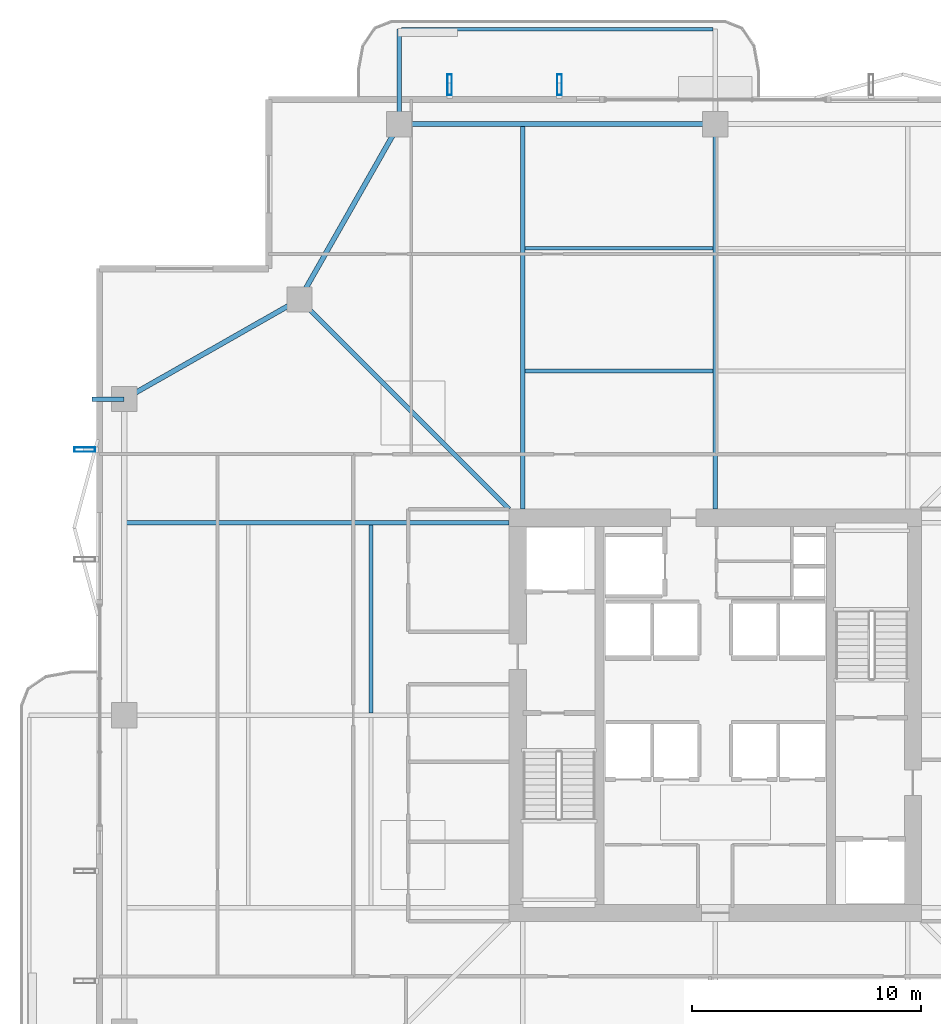
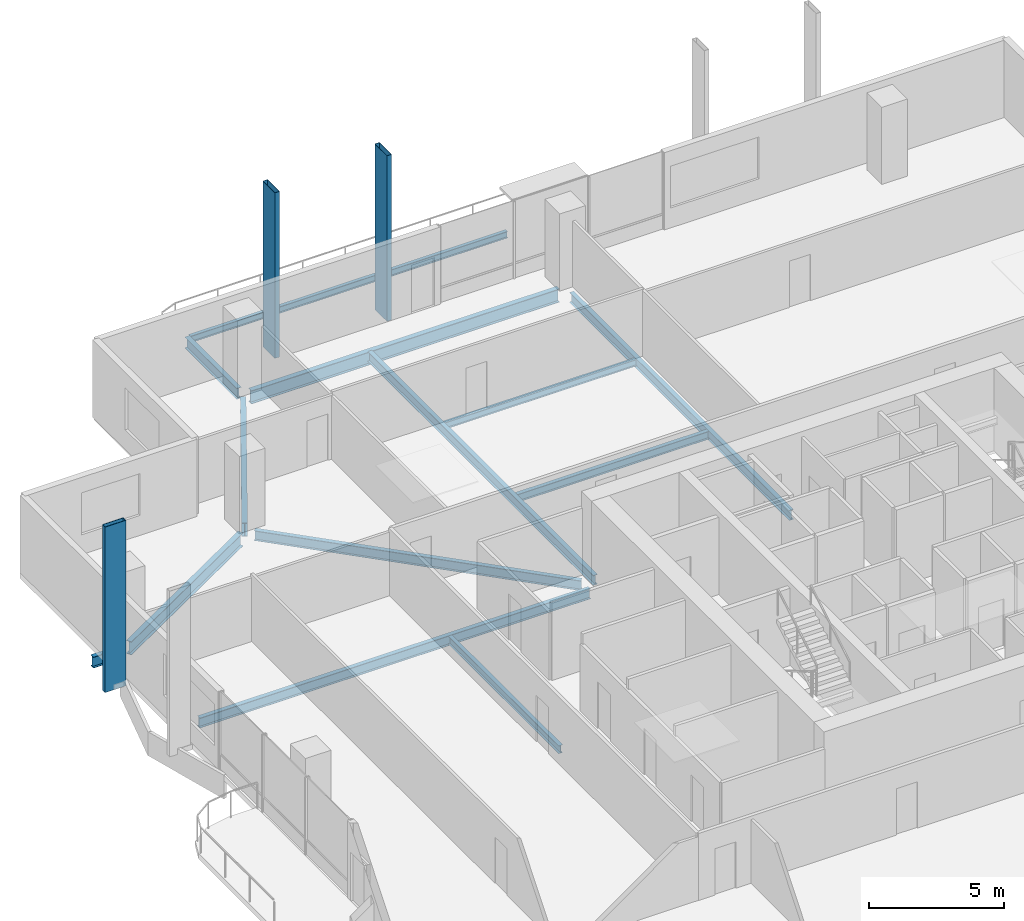
# One storey, part 10 of 24: 13 beams, 3 members.
"""IFC4 building model written with IfcOpenShell, lengths in metres."""

from ifc_helpers import new_model, si_unit, direction, frame, origin, origin_2d, place, context, subcontext, project, spatial, hollow_rectangle, i_section, extrude, material, material_profile, profile_set, type_object, element, save


model = new_model("IFC4")

# Units and contexts
model_context = context("Model", 3, precision=1e-05, world=origin(), true_north=direction((0.0, 1.0)))
body_context = subcontext(model_context, "Body", "Model", "MODEL_VIEW")
ifc_project = project(units=[si_unit("LENGTHUNIT", "METRE"), si_unit("AREAUNIT", "SQUARE_METRE"), si_unit("VOLUMEUNIT", "CUBIC_METRE"), si_unit("PLANEANGLEUNIT", "RADIAN"), si_unit("MASSUNIT", "GRAM", prefix="KILO")], contexts=[model_context])

# Site, building, storey
site_placement = place(None, origin())
site = spatial("IfcSite", under=ifc_project, at=site_placement, CompositionType="ELEMENT")
building_placement = place(site_placement, origin())
building = spatial("IfcBuilding", under=site, at=building_placement, Name="Belovzor Exchange Tower", CompositionType="ELEMENT")
storey_placement = place(building_placement, frame((0.0, 0.0, 211.199951171875)))
storey = spatial("IfcBuildingStorey", under=building, at=storey_placement, Name="L52", CompositionType="ELEMENT", Elevation=211.199951171875)

# Beams
ifc_material_1 = material(Name="Steel S355", Category="steel")
ifc_material_profile_1 = material_profile(ifc_material_1, i_section(OverallWidth=0.199951171875, OverallDepth=0.5, WebThickness=0.01025390625, FlangeThickness=0.01611328125, at=origin_2d()))
ifc_profile_set_1 = profile_set([ifc_material_profile_1], Name="Steel S355")
beam_type_1 = type_object("IfcBeamType", Name="Planted Balcony Cantilever Beam IPE 500", PredefinedType="BEAM", material=ifc_profile_set_1)
beam_1_placement = place(storey_placement, frame((15.0, 54.903076171875, -0.5), z_axis=(0.0, 1.0, 0.0), x_axis=(-1.0, 0.0, 0.0)))
element("IfcBeam", 1, at=beam_1_placement, inside=storey, type_object=beam_type_1, Name="BC-500 Planted Balcony Cantilever Beam IPE 500", PredefinedType="BEAM", context=body_context, shape_type="SweptSolid", body=[
    extrude(i_section(OverallWidth=0.199951171875, OverallDepth=0.5, WebThickness=0.01025390625, FlangeThickness=0.01611328125, at=origin_2d()), origin(), (0.0, 0.0, 1.0), 3.849853515625),
])
beam_2_placement = place(storey_placement, frame((3.0, 42.60009765625, -0.5), z_axis=(-1.0, 0.0, 0.0), x_axis=(0.0, -1.0, 0.0)))
element("IfcBeam", 2, at=beam_2_placement, inside=storey, type_object=beam_type_1, Name="BC-500 Planted Balcony Cantilever Beam IPE 500", PredefinedType="BEAM", context=body_context, shape_type="SweptSolid", body=[
    extrude(i_section(OverallWidth=0.199951171875, OverallDepth=0.5, WebThickness=0.01025390625, FlangeThickness=0.01611328125, at=origin_2d()), origin(), (0.0, 0.0, 1.0), 1.39990234375),
])
ifc_material_2 = material(Name="Steel S355", Category="steel")
ifc_material_profile_2 = material_profile(ifc_material_2, i_section(OverallWidth=0.14990234375, OverallDepth=0.300048828125, WebThickness=0.007080078125, FlangeThickness=0.0107421875, at=origin_2d()))
ifc_profile_set_2 = profile_set([ifc_material_profile_2], Name="Steel S355")
beam_type_2 = type_object("IfcBeamType", Name="Planted Balcony Fascia Edge Beam IPE 300", PredefinedType="BEAM", material=ifc_profile_set_2)
beam_3_placement = place(storey_placement, frame((28.699951171875, 58.7529296875, -0.39990234375), z_axis=(-1.0, 0.0, 0.0), x_axis=(0.0, -1.0, 0.0)))
element("IfcBeam", 3, at=beam_3_placement, inside=storey, type_object=beam_type_2, Name="BC-300 Planted Balcony Fascia Edge Beam IPE 300", PredefinedType="BEAM", context=body_context, shape_type="SweptSolid", body=[
    extrude(i_section(OverallWidth=0.14990234375, OverallDepth=0.300048828125, WebThickness=0.007080078125, FlangeThickness=0.0107421875, at=origin_2d()), origin(), (0.0, 0.0, 1.0), 13.599853515625),
])
ifc_material_3 = material(Name="Steel S355", Category="steel")
ifc_material_profile_3 = material_profile(ifc_material_3, i_section(OverallWidth=0.169921875, OverallDepth=0.360107421875, WebThickness=0.008056640625, FlangeThickness=0.0126953125, at=origin_2d()))
ifc_profile_set_3 = profile_set([ifc_material_profile_3], Name="Steel S355")
beam_type_3 = type_object("IfcBeamType", Name="Secondary Infill Floor Joist IPE 360", PredefinedType="BEAM", material=ifc_profile_set_3)
for number, where, z_axis, x_axis, name in (
    (4, (20.4951171875, 43.827880859375, -0.429931640625), (1.0, 0.0, 0.0), (0.0, 1.0, 0.0), "FJ-360 Secondary Infill Floor Joist IPE 360"),
    (5, (13.77197265625, 28.89501953125, -0.429931640625), (0.0, 1.0, 0.0), (-1.0, 0.0, 0.0), "FJ-360 Secondary Infill Floor Joist IPE 360"),
):
    element("IfcBeam", number, at=place(storey_placement, frame(where, z_axis=z_axis, x_axis=x_axis)), inside=storey, type_object=beam_type_3, Name=name, PredefinedType="BEAM", context=body_context, shape_type="SweptSolid", body=[
        extrude(i_section(OverallWidth=0.169921875, OverallDepth=0.360107421875, WebThickness=0.008056640625, FlangeThickness=0.0126953125, at=origin_2d()), origin(), (0.0, 0.0, 1.0), 8.2099609375),
    ])
ifc_material_4 = material(Name="Steel S355", Category="steel")
ifc_material_profile_4 = material_profile(ifc_material_4, i_section(OverallWidth=0.14990234375, OverallDepth=0.300048828125, WebThickness=0.007080078125, FlangeThickness=0.0107421875, at=origin_2d()))
ifc_profile_set_4 = profile_set([ifc_material_profile_4], Name="Steel S355")
beam_type_4 = type_object("IfcBeamType", Name="Secondary Trim Floor Joist IPE 300", PredefinedType="BEAM", material=ifc_profile_set_4)
beam_4_placement = place(storey_placement, frame((20.4951171875, 49.18701171875, -0.39990234375), z_axis=(1.0, 0.0, 0.0), x_axis=(0.0, 1.0, 0.0)))
element("IfcBeam", 6, at=beam_4_placement, inside=storey, type_object=beam_type_4, Name="FJ-300 Secondary Trim Floor Joist IPE 300", PredefinedType="BEAM", context=body_context, shape_type="SweptSolid", body=[
    extrude(i_section(OverallWidth=0.14990234375, OverallDepth=0.300048828125, WebThickness=0.007080078125, FlangeThickness=0.0107421875, at=origin_2d()), origin(), (0.0, 0.0, 1.0), 8.2099609375),
])

# Members
ifc_material_5 = material(Name="Extruded Architectural Terracotta on Steel S355 Carrier", Category="masonry")
ifc_material_profile_5 = material_profile(ifc_material_5, hollow_rectangle(XDim=0.199951171875, YDim=0.89990234375, WallThickness=0.011962890625, at=origin_2d()))
ifc_profile_set_5 = profile_set([ifc_material_profile_5], Name="Extruded Architectural Terracotta on Steel S355 Carrier")
member_type = type_object("IfcMemberType", Name="Sweeping Terracotta Baguette Fin Assembly 950", PredefinedType="USERDEFINED", material=ifc_profile_set_5)
for number, where, z_axis, x_axis, name in (
    (7, (17.199951171875, 56.324951171875, -0.25), (0.0, 0.0, 1.0), (1.0, 0.0, 0.0), "FIN-TC095 Terracotta Facade Fin L52 N1"),
    (8, (22.0, 56.324951171875, -0.25), (0.0, 0.0, 1.0), (1.0, 0.0, 0.0), "FIN-TC095 Terracotta Facade Fin L52 N2"),
    (9, (1.27490234375, 40.39990234375, -0.25), (0.0, 0.0, 1.0), (0.0, 1.0, 0.0), "FIN-TC095 Terracotta Facade Fin L52 W4"),
):
    element("IfcMember", number, at=place(storey_placement, frame(where, z_axis=z_axis, x_axis=x_axis)), inside=storey, type_object=member_type, Name=name, ObjectType="FIN", PredefinedType="USERDEFINED", context=body_context, shape_type="SweptSolid", body=[
        extrude(hollow_rectangle(XDim=0.199951171875, YDim=0.89990234375, WallThickness=0.011962890625, at=origin_2d()), origin(), (0.0, 0.0, 1.0), 7.5),
    ])

# Beams
ifc_material_6 = material(Name="Steel S355", Category="steel")
ifc_material_profile_6 = material_profile(ifc_material_6, i_section(OverallWidth=0.18994140625, OverallDepth=0.449951171875, WebThickness=0.009521484375, FlangeThickness=0.0146484375, at=origin_2d()))
ifc_profile_set_6 = profile_set([ifc_material_profile_6], Name="Steel S355")
beam_type_5 = type_object("IfcBeamType", Name="Zone 2-4 Radial Composite Floor Beam IPE 450", PredefinedType="BEAM", material=ifc_profile_set_6)
beam_5_placement = place(storey_placement, frame((20.39990234375, 37.800048828125, -0.474853515625), z_axis=(0.0, 1.0, 0.0), x_axis=(-1.0, 0.0, 0.0)))
element("IfcBeam", 10, at=beam_5_placement, inside=storey, type_object=beam_type_5, Name="FB-450 Zone 2-4 Radial Composite Floor Beam IPE 450", PredefinedType="BEAM", context=body_context, shape_type="SweptSolid", body=[
    extrude(i_section(OverallWidth=0.18994140625, OverallDepth=0.449951171875, WebThickness=0.009521484375, FlangeThickness=0.0146484375, at=origin_2d()), origin(), (0.0, 0.0, 1.0), 16.744873046875),
])
beam_6_placement = place(storey_placement, frame((28.800048828125, 37.800048828125, -0.474853515625), z_axis=(0.0, 1.0, 0.0), x_axis=(-1.0, 0.0, 0.0)))
element("IfcBeam", 11, at=beam_6_placement, inside=storey, type_object=beam_type_5, Name="FB-450 Zone 2-4 Radial Composite Floor Beam IPE 450", PredefinedType="BEAM", context=body_context, shape_type="SweptSolid", body=[
    extrude(i_section(OverallWidth=0.18994140625, OverallDepth=0.449951171875, WebThickness=0.009521484375, FlangeThickness=0.0146484375, at=origin_2d()), origin(), (0.0, 0.0, 1.0), 16.31591796875),
])
beam_7_placement = place(storey_placement, frame((19.800048828125, 37.199951171875, -0.474853515625), z_axis=(-1.0, 0.0, 0.0), x_axis=(0.0, -1.0, 0.0)))
element("IfcBeam", 12, at=beam_7_placement, inside=storey, type_object=beam_type_5, Name="FB-450 Zone 2-4 Radial Composite Floor Beam IPE 450", PredefinedType="BEAM", context=body_context, shape_type="SweptSolid", body=[
    extrude(i_section(OverallWidth=0.18994140625, OverallDepth=0.449951171875, WebThickness=0.009521484375, FlangeThickness=0.0146484375, at=origin_2d()), origin(), (0.0, 0.0, 1.0), 16.7451171875),
])
beam_8_placement = place(storey_placement, frame((19.800048828125, 37.800048828125, -0.474853515625), z_axis=(-0.707106781187, 0.707106781187, 0.0), x_axis=(-0.707106781187, -0.707106781187, 0.0)))
element("IfcBeam", 13, at=beam_8_placement, inside=storey, type_object=beam_type_5, Name="FB-450 Zone 2-4 Radial Composite Floor Beam IPE 450", PredefinedType="BEAM", context=body_context, shape_type="SweptSolid", body=[
    extrude(i_section(OverallWidth=0.18994140625, OverallDepth=0.449951171875, WebThickness=0.009521484375, FlangeThickness=0.0146484375, at=origin_2d()), origin(), (0.0, 0.0, 1.0), 12.551025390625),
])
ifc_material_7 = material(Name="Steel S355", Category="steel")
ifc_material_profile_7 = material_profile(ifc_material_7, i_section(OverallWidth=0.219970703125, OverallDepth=0.60009765625, WebThickness=0.011962890625, FlangeThickness=0.01904296875, at=origin_2d()))
ifc_profile_set_7 = profile_set([ifc_material_profile_7], Name="Steel S355")
beam_type_6 = type_object("IfcBeamType", Name="Zone 4 Flare Primary Girder IPE 600", PredefinedType="BEAM", material=ifc_profile_set_7)
beam_9_placement = place(storey_placement, frame((28.498046875, 54.60009765625, -0.550048828125), z_axis=(-1.0, 0.0, 0.0), x_axis=(0.0, -1.0, 0.0)))
element("IfcBeam", 14, at=beam_9_placement, inside=storey, type_object=beam_type_6, Name="FG-Z4 Zone 4 Flare Primary Girder IPE 600", PredefinedType="BEAM", context=body_context, shape_type="SweptSolid", body=[
    extrude(i_section(OverallWidth=0.219970703125, OverallDepth=0.60009765625, WebThickness=0.011962890625, FlangeThickness=0.01904296875, at=origin_2d()), origin(), (0.0, 0.0, 1.0), 13.195068359375),
])
for number, where, z_axis, x_axis, name in (
    (15, (14.85009765625, 54.3369140625, -0.550048828125), (-0.494222323641, -0.869335547884, 0.0), (0.869335547884, -0.494222323641, 0.0), "FG-Z4 Zone 4 Flare Primary Girder IPE 600"),
    (16, (10.386962890625, 46.800048828125, -0.550048828125), (-0.869335547884, -0.494222323641, 0.0), (0.494222323641, -0.869335547884, 0.0), "FG-Z4 Zone 4 Flare Primary Girder IPE 600"),
):
    element("IfcBeam", number, at=place(storey_placement, frame(where, z_axis=z_axis, x_axis=x_axis)), inside=storey, type_object=beam_type_6, Name=name, PredefinedType="BEAM", context=body_context, shape_type="SweptSolid", body=[
        extrude(i_section(OverallWidth=0.219970703125, OverallDepth=0.60009765625, WebThickness=0.011962890625, FlangeThickness=0.01904296875, at=origin_2d()), origin(), (0.0, 0.0, 1.0), 8.19482421875),
    ])

save(model, "model.ifc")
